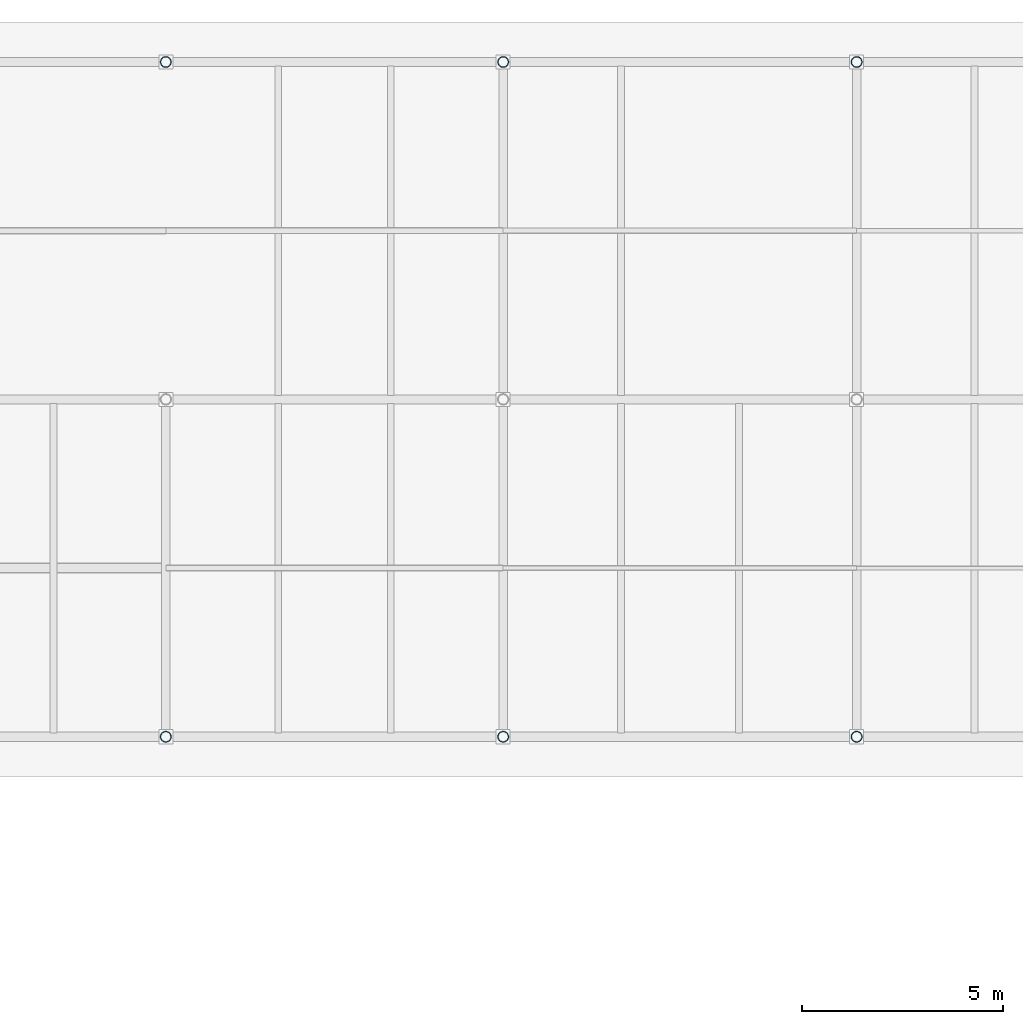
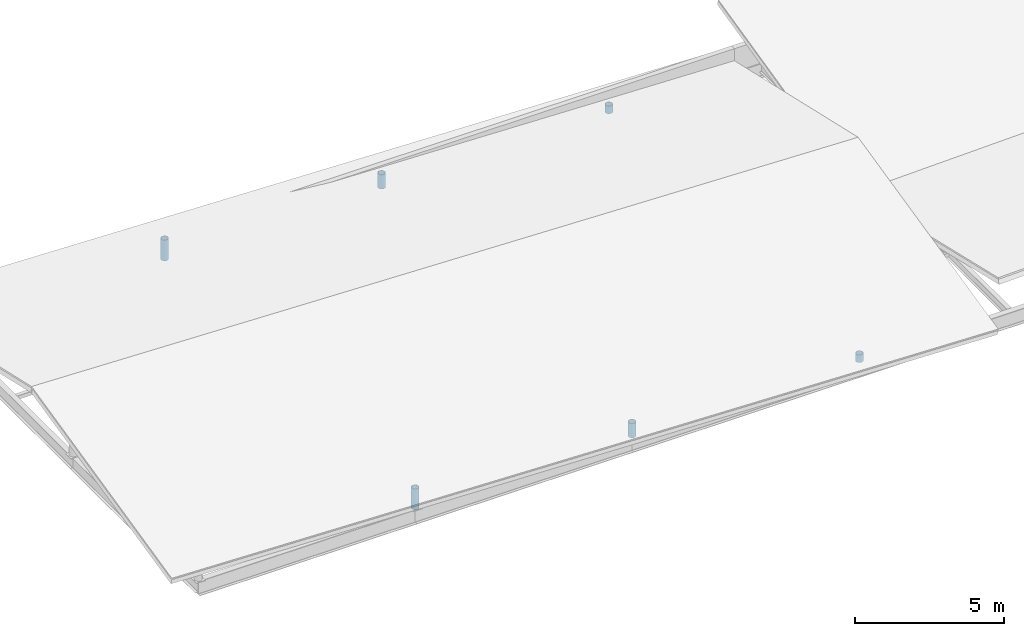
# One storey, part 10 of 65: 6 columns.
"""IFC4 building model written with IfcOpenShell, lengths in metres."""

from ifc_helpers import new_model, si_unit, direction, frame, origin, origin_2d, place, context, subcontext, project, spatial, hollow_circle, extrude, material, material_profile, profile_set, type_object, element, save


model = new_model("IFC4")

# Units and contexts
model_context = context("Model", 3, precision=1e-05, world=origin(), true_north=direction((0.0, 1.0)))
body_context = subcontext(model_context, "Body", "Model", "MODEL_VIEW")
ifc_project = project(units=[si_unit("LENGTHUNIT", "METRE"), si_unit("AREAUNIT", "SQUARE_METRE"), si_unit("VOLUMEUNIT", "CUBIC_METRE"), si_unit("PLANEANGLEUNIT", "RADIAN"), si_unit("MASSUNIT", "GRAM", prefix="KILO")], contexts=[model_context])

# Site, building, storey
site_placement = place(None, origin())
site = spatial("IfcSite", under=ifc_project, at=site_placement, CompositionType="ELEMENT")
building_placement = place(site_placement, origin())
building = spatial("IfcBuilding", under=site, at=building_placement, Name="Cinderway Yard Community Centre", CompositionType="ELEMENT")
storey_placement = place(building_placement, frame((0.0, 0.0, 24.300048828125)))
storey = spatial("IfcBuildingStorey", under=building, at=storey_placement, Name="RF", CompositionType="ELEMENT", Elevation=24.300048828125)

# Columns
ifc_material = material(Name="Steel S355", Category="steel")
ifc_material_profile = material_profile(ifc_material, hollow_circle(Radius=0.136474609375, WallThickness=0.012451171875, at=origin_2d()), Name="Steel S355")
ifc_profile_set = profile_set([ifc_material_profile], Name="Steel S355")
column_type = type_object("IfcColumnType", Name="STR-POST-CHS273", PredefinedType="PILASTER", material=ifc_profile_set)
for number, where, z_axis, x_axis, name in (
    (1, (66.800048828125, 98.39990234375, 0.0), (0.0, 0.0, 1.0), (1.0, 0.0, 0.0), "V4 scissored roof post 66_98"),
    (2, (66.800048828125, 115.199951171875, 0.0), (0.0, 0.0, 1.0), (1.0, 0.0, 0.0), "V4 scissored roof post 66_115"),
):
    element("IfcColumn", number, at=place(storey_placement, frame(where, z_axis=z_axis, x_axis=x_axis)), inside=storey, type_object=column_type, Name=name, PredefinedType="PILASTER", context=body_context, shape_type="SweptSolid", body=[
        extrude(hollow_circle(Radius=0.136474609375, WallThickness=0.012451171875, at=origin_2d()), origin(), (0.0, 0.0, 1.0), 0.845947265625),
    ])
for number, where, z_axis, x_axis, name in (
    (3, (75.199951171875, 98.39990234375, 0.0), (0.0, 0.0, 1.0), (1.0, 0.0, 0.0), "V4 scissored roof post 75_98"),
    (4, (75.199951171875, 115.199951171875, 0.0), (0.0, 0.0, 1.0), (1.0, 0.0, 0.0), "V4 scissored roof post 75_115"),
):
    element("IfcColumn", number, at=place(storey_placement, frame(where, z_axis=z_axis, x_axis=x_axis)), inside=storey, type_object=column_type, Name=name, PredefinedType="PILASTER", context=body_context, shape_type="SweptSolid", body=[
        extrude(hollow_circle(Radius=0.136474609375, WallThickness=0.012451171875, at=origin_2d()), origin(), (0.0, 0.0, 1.0), 0.583984375),
    ])
for number, where, z_axis, x_axis, name in (
    (5, (84.0, 98.39990234375, 0.0), (0.0, 0.0, 1.0), (1.0, 0.0, 0.0), "V4 scissored roof post 84_98"),
    (6, (84.0, 115.199951171875, 0.0), (0.0, 0.0, 1.0), (1.0, 0.0, 0.0), "V4 scissored roof post 84_115"),
):
    element("IfcColumn", number, at=place(storey_placement, frame(where, z_axis=z_axis, x_axis=x_axis)), inside=storey, type_object=column_type, Name=name, PredefinedType="PILASTER", context=body_context, shape_type="SweptSolid", body=[
        extrude(hollow_circle(Radius=0.136474609375, WallThickness=0.012451171875, at=origin_2d()), origin(), (0.0, 0.0, 1.0), 0.308837890625),
    ])

save(model, "model.ifc")
